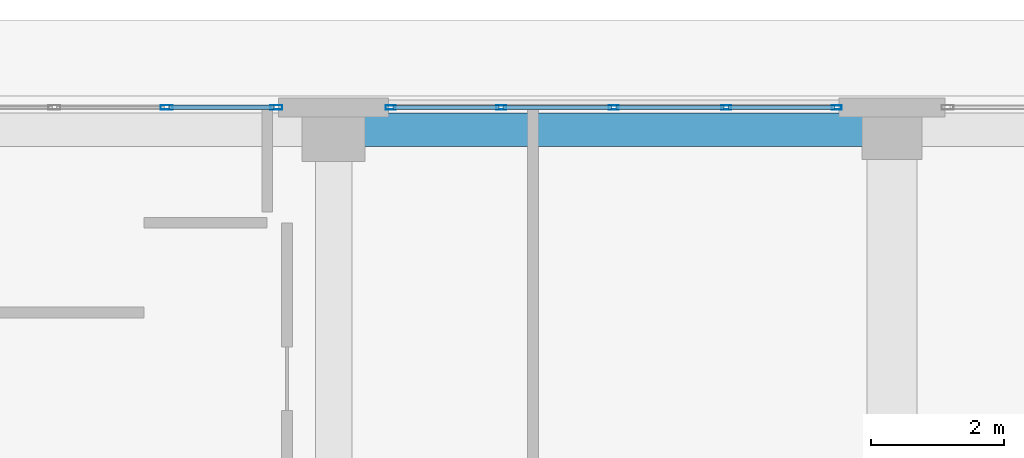
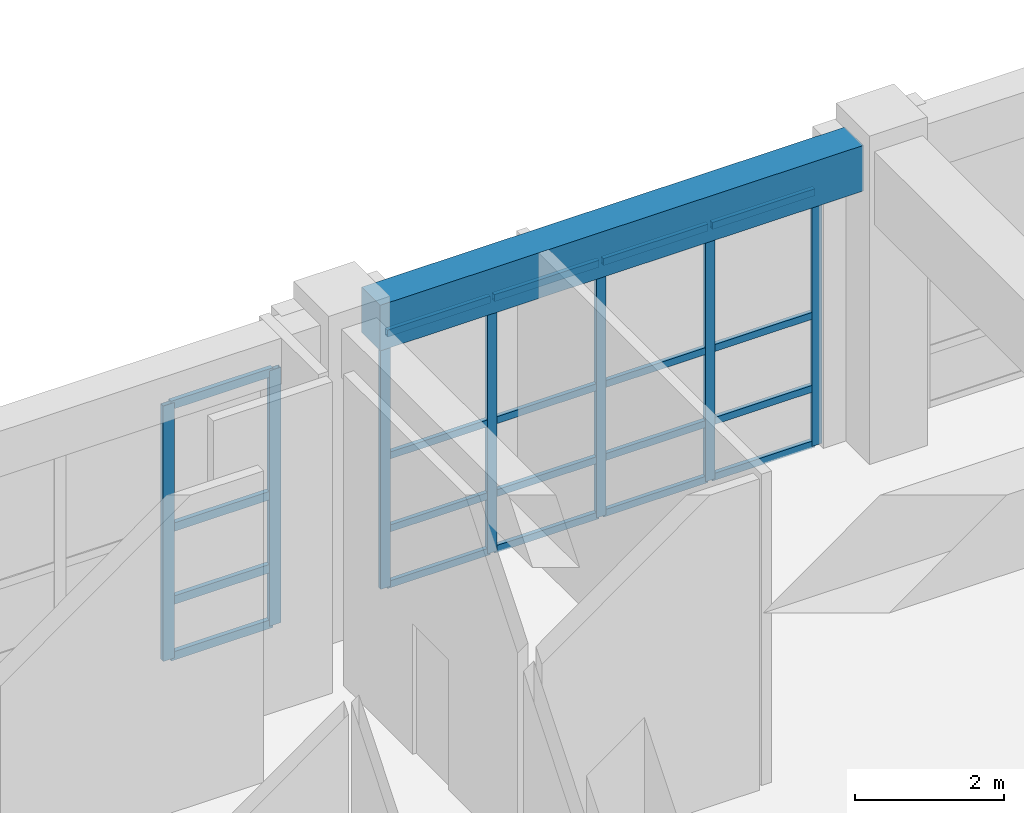
# One storey, part 83 of 148: 27 members, 1 beam, 2 elements without a shape of their own.
"""IFC4 building model written with IfcOpenShell, lengths in metres."""

from ifc_helpers import new_model, si_unit, direction, frame, origin, origin_2d, place, context, subcontext, project, spatial, rectangle, hollow_rectangle, extrude, material, layer, layer_set, material_profile, profile_set, type_object, element, aggregate, save


model = new_model("IFC4")

# Units and contexts
model_context = context("Model", 3, precision=1e-05, world=origin(), true_north=direction((0.0, 1.0)))
body_context = subcontext(model_context, "Body", "Model", "MODEL_VIEW")
ifc_project = project(units=[si_unit("LENGTHUNIT", "METRE"), si_unit("AREAUNIT", "SQUARE_METRE"), si_unit("VOLUMEUNIT", "CUBIC_METRE"), si_unit("PLANEANGLEUNIT", "RADIAN"), si_unit("MASSUNIT", "GRAM", prefix="KILO")], contexts=[model_context])

# Site, building, storey
site_placement = place(None, origin())
site = spatial("IfcSite", under=ifc_project, at=site_placement, CompositionType="ELEMENT")
building_placement = place(site_placement, origin())
building = spatial("IfcBuilding", under=site, at=building_placement, Name="Quendrovan Civic Courthouse", CompositionType="ELEMENT")
storey_placement = place(building_placement, origin())
storey = spatial("IfcBuildingStorey", under=building, at=storey_placement, Name="L01", CompositionType="ELEMENT", Elevation=0.0)

# Beam
ifc_material_1 = material(Name="Concrete C40/50", Category="concrete")
ifc_material_profile_1 = material_profile(ifc_material_1, rectangle(XDim=0.5, YDim=0.75, at=origin_2d()), Name="RC-BM-500x750")
ifc_profile_set_1 = profile_set([ifc_material_profile_1], Name="Concrete C40/50")
beam_type = type_object("IfcBeamType", Name="BM-RC750", PredefinedType="SPANDREL", material=ifc_profile_set_1)
beam_placement = place(storey_placement, frame((67.655029296875, 109.89990234375, 4.7451171875), z_axis=(1.0, 0.0, 0.0), x_axis=(0.0, 1.0, 0.0)))
element("IfcBeam", 1, at=beam_placement, inside=storey, type_object=beam_type, Name="L01 Girder X0360", PredefinedType="SPANDREL", context=body_context, shape_type="SweptSolid", body=[
    extrude(rectangle(XDim=0.5, YDim=0.75, at=origin_2d()), origin(), (0.0, 0.0, 1.0), 7.514892578125),
])

# Curtain wall, members
ifc_material_2 = material(Name="Bronze anodised aluminium and low-E glass", Category="aluminium")
ifc_layer = layer(ifc_material_2, 0.179931640625, Name="Bronze anodised aluminium and low-E glass")
ifc_layer_set = layer_set([ifc_layer], Name="Bronze anodised aluminium and low-E glass")
curtain_wall_type = type_object("IfcCurtainWallType", Name="CW-U68x42", PredefinedType="USERDEFINED", material=ifc_layer_set)
curtain_wall_1_placement = place(storey_placement, origin())
curtain_wall_1 = element("IfcCurtainWall", 2, at=curtain_wall_1_placement, inside=storey, type_object=curtain_wall_type, Name="L01 Unitised Hurricane Curtain Wall CW-028", ObjectType="UNITISED CURTAIN WALL", PredefinedType="USERDEFINED")
ifc_material_3 = material(Name="Bronze anodised aluminium", Category="aluminium")
ifc_material_profile_2 = material_profile(ifc_material_3, hollow_rectangle(XDim=0.070068359375, YDim=0.179931640625, WallThickness=0.00390625, at=origin_2d()), Name="CW-MULL-70x180")
ifc_profile_set_2 = profile_set([ifc_material_profile_2], Name="Bronze anodised aluminium")
member_type_1 = type_object("IfcMemberType", Name="CW-MULL-A", PredefinedType="MULLION", material=ifc_profile_set_2)
member_1_placement = place(storey_placement, frame((64.6875, 110.235107421875, 0.0), z_axis=(0.0, 0.0, 1.0), x_axis=(0.0, 1.0, 0.0)))
member_1 = element("IfcMember", 3, at=member_1_placement, type_object=member_type_1, Name="CW-028 mullion 4", PredefinedType="MULLION", context=body_context, shape_type="SweptSolid", body=[
    extrude(hollow_rectangle(XDim=0.070068359375, YDim=0.179931640625, WallThickness=0.00390625, at=origin_2d()), origin(), (0.0, 0.0, 1.0), 4.199951171875),
])
member_2_placement = place(storey_placement, frame((66.340087890625, 110.235107421875, 0.0), z_axis=(0.0, 0.0, 1.0), x_axis=(0.0, 1.0, 0.0)))
member_2 = element("IfcMember", 4, at=member_2_placement, type_object=member_type_1, Name="CW-028 mullion 5", PredefinedType="MULLION", context=body_context, shape_type="SweptSolid", body=[
    extrude(hollow_rectangle(XDim=0.070068359375, YDim=0.179931640625, WallThickness=0.00390625, at=origin_2d()), origin(), (0.0, 0.0, 1.0), 4.199951171875),
])

curtain_wall_2_placement = place(storey_placement, origin())
curtain_wall_2 = element("IfcCurtainWall", 5, at=curtain_wall_2_placement, inside=storey, type_object=curtain_wall_type, Name="L01 Unitised Hurricane Curtain Wall CW-029", ObjectType="UNITISED CURTAIN WALL", PredefinedType="USERDEFINED")
ifc_material_profile_3 = material_profile(ifc_material_3, hollow_rectangle(XDim=0.06494140625, YDim=0.14990234375, WallThickness=0.00390625, at=origin_2d()), Name="CW-MULL-65x150")
ifc_profile_set_3 = profile_set([ifc_material_profile_3], Name="Bronze anodised aluminium")
member_type_2 = type_object("IfcMemberType", Name="CW-MULL-B", PredefinedType="MULLION", material=ifc_profile_set_3)
member_3_placement = place(storey_placement, frame((68.0576171875, 110.235107421875, 0.0), z_axis=(0.0, 0.0, 1.0), x_axis=(0.0, 1.0, 0.0)))
member_3 = element("IfcMember", 6, at=member_3_placement, type_object=member_type_2, Name="CW-029 mullion 1", PredefinedType="MULLION", context=body_context, shape_type="SweptSolid", body=[
    extrude(hollow_rectangle(XDim=0.06494140625, YDim=0.14990234375, WallThickness=0.00390625, at=origin_2d()), origin(), (0.0, 0.0, 1.0), 4.199951171875),
])
member_4_placement = place(storey_placement, frame((69.71875, 110.235107421875, 0.0), z_axis=(0.0, 0.0, 1.0), x_axis=(0.0, 1.0, 0.0)))
member_4 = element("IfcMember", 7, at=member_4_placement, type_object=member_type_2, Name="CW-029 mullion 2", PredefinedType="MULLION", context=body_context, shape_type="SweptSolid", body=[
    extrude(hollow_rectangle(XDim=0.06494140625, YDim=0.14990234375, WallThickness=0.00390625, at=origin_2d()), origin(), (0.0, 0.0, 1.0), 4.199951171875),
])
member_5_placement = place(storey_placement, frame((71.41259765625, 110.235107421875, 0.0), z_axis=(0.0, 0.0, 1.0), x_axis=(0.0, 1.0, 0.0)))
member_5 = element("IfcMember", 8, at=member_5_placement, type_object=member_type_2, Name="CW-029 mullion 3", PredefinedType="MULLION", context=body_context, shape_type="SweptSolid", body=[
    extrude(hollow_rectangle(XDim=0.06494140625, YDim=0.14990234375, WallThickness=0.00390625, at=origin_2d()), origin(), (0.0, 0.0, 1.0), 4.199951171875),
])
member_6_placement = place(storey_placement, frame((73.106201171875, 110.235107421875, 0.0), z_axis=(0.0, 0.0, 1.0), x_axis=(0.0, 1.0, 0.0)))
member_6 = element("IfcMember", 9, at=member_6_placement, type_object=member_type_2, Name="CW-029 mullion 4", PredefinedType="MULLION", context=body_context, shape_type="SweptSolid", body=[
    extrude(hollow_rectangle(XDim=0.06494140625, YDim=0.14990234375, WallThickness=0.00390625, at=origin_2d()), origin(), (0.0, 0.0, 1.0), 4.199951171875),
])
member_7_placement = place(storey_placement, frame((74.767578125, 110.235107421875, 0.0), z_axis=(0.0, 0.0, 1.0), x_axis=(0.0, 1.0, 0.0)))
member_7 = element("IfcMember", 10, at=member_7_placement, type_object=member_type_2, Name="CW-029 mullion 5", PredefinedType="MULLION", context=body_context, shape_type="SweptSolid", body=[
    extrude(hollow_rectangle(XDim=0.06494140625, YDim=0.14990234375, WallThickness=0.00390625, at=origin_2d()), origin(), (0.0, 0.0, 1.0), 4.199951171875),
])

# Member
ifc_material_profile_4 = material_profile(ifc_material_3, hollow_rectangle(XDim=0.070068359375, YDim=0.139892578125, WallThickness=0.00390625, at=origin_2d()), Name="CW-TRAN-70x140")
ifc_profile_set_4 = profile_set([ifc_material_profile_4], Name="Bronze anodised aluminium")
member_type_3 = type_object("IfcMemberType", Name="CW-TRAN-A", PredefinedType="USERDEFINED", material=ifc_profile_set_4)
member_8_placement = place(storey_placement, frame((64.722412109375, 110.235107421875, 0.034912109375), z_axis=(1.0, 0.0, 0.0), x_axis=(0.0, 1.0, 0.0)))
member_8 = element("IfcMember", 11, at=member_8_placement, type_object=member_type_3, Name="CW-028 transom 4.1", ObjectType="TRANSOM", PredefinedType="USERDEFINED", context=body_context, shape_type="SweptSolid", body=[
    extrude(hollow_rectangle(XDim=0.070068359375, YDim=0.139892578125, WallThickness=0.00390625, at=origin_2d()), origin(), (0.0, 0.0, 1.0), 1.58251953125),
])

member_9_placement = place(storey_placement, frame((64.722412109375, 110.235107421875, 0.949951171875), z_axis=(1.0, 0.0, 0.0), x_axis=(0.0, 1.0, 0.0)))
member_9 = element("IfcMember", 12, at=member_9_placement, type_object=member_type_3, Name="CW-028 transom 4.2", ObjectType="TRANSOM", PredefinedType="USERDEFINED", context=body_context, shape_type="SweptSolid", body=[
    extrude(hollow_rectangle(XDim=0.070068359375, YDim=0.139892578125, WallThickness=0.00390625, at=origin_2d()), origin(), (0.0, 0.0, 1.0), 1.58251953125),
])

member_10_placement = place(storey_placement, frame((64.722412109375, 110.235107421875, 2.14990234375), z_axis=(1.0, 0.0, 0.0), x_axis=(0.0, 1.0, 0.0)))
member_10 = element("IfcMember", 13, at=member_10_placement, type_object=member_type_3, Name="CW-028 transom 4.3", ObjectType="TRANSOM", PredefinedType="USERDEFINED", context=body_context, shape_type="SweptSolid", body=[
    extrude(hollow_rectangle(XDim=0.070068359375, YDim=0.139892578125, WallThickness=0.00390625, at=origin_2d()), origin(), (0.0, 0.0, 1.0), 1.58251953125),
])

member_11_placement = place(storey_placement, frame((64.722412109375, 110.235107421875, 4.1650390625), z_axis=(1.0, 0.0, 0.0), x_axis=(0.0, 1.0, 0.0)))
member_11 = element("IfcMember", 14, at=member_11_placement, type_object=member_type_3, Name="CW-028 transom 4.4", ObjectType="TRANSOM", PredefinedType="USERDEFINED", context=body_context, shape_type="SweptSolid", body=[
    extrude(hollow_rectangle(XDim=0.070068359375, YDim=0.139892578125, WallThickness=0.00390625, at=origin_2d()), origin(), (0.0, 0.0, 1.0), 1.58251953125),
])

aggregate(curtain_wall_1, [member_1, member_2, member_8, member_9, member_10, member_11])

ifc_material_profile_5 = material_profile(ifc_material_3, hollow_rectangle(XDim=0.06494140625, YDim=0.114990234375, WallThickness=0.00390625, at=origin_2d()), Name="CW-TRAN-65x115")
ifc_profile_set_5 = profile_set([ifc_material_profile_5], Name="Bronze anodised aluminium")
member_type_4 = type_object("IfcMemberType", Name="CW-TRAN-B", PredefinedType="USERDEFINED", material=ifc_profile_set_5)
member_12_placement = place(storey_placement, frame((68.090087890625, 110.235107421875, 0.032470703125), z_axis=(1.0, 0.0, 0.0), x_axis=(0.0, 1.0, 0.0)))
member_12 = element("IfcMember", 15, at=member_12_placement, type_object=member_type_4, Name="CW-029 transom 1.1", ObjectType="TRANSOM", PredefinedType="USERDEFINED", context=body_context, shape_type="SweptSolid", body=[
    extrude(hollow_rectangle(XDim=0.06494140625, YDim=0.114990234375, WallThickness=0.00390625, at=origin_2d()), origin(), (0.0, 0.0, 1.0), 1.59619140625),
])

member_13_placement = place(storey_placement, frame((68.090087890625, 110.235107421875, 0.949951171875), z_axis=(1.0, 0.0, 0.0), x_axis=(0.0, 1.0, 0.0)))
member_13 = element("IfcMember", 16, at=member_13_placement, type_object=member_type_4, Name="CW-029 transom 1.2", ObjectType="TRANSOM", PredefinedType="USERDEFINED", context=body_context, shape_type="SweptSolid", body=[
    extrude(hollow_rectangle(XDim=0.06494140625, YDim=0.114990234375, WallThickness=0.00390625, at=origin_2d()), origin(), (0.0, 0.0, 1.0), 1.59619140625),
])

member_14_placement = place(storey_placement, frame((68.090087890625, 110.235107421875, 2.14990234375), z_axis=(1.0, 0.0, 0.0), x_axis=(0.0, 1.0, 0.0)))
member_14 = element("IfcMember", 17, at=member_14_placement, type_object=member_type_4, Name="CW-029 transom 1.3", ObjectType="TRANSOM", PredefinedType="USERDEFINED", context=body_context, shape_type="SweptSolid", body=[
    extrude(hollow_rectangle(XDim=0.06494140625, YDim=0.114990234375, WallThickness=0.00390625, at=origin_2d()), origin(), (0.0, 0.0, 1.0), 1.59619140625),
])

member_15_placement = place(storey_placement, frame((68.090087890625, 110.235107421875, 4.16748046875), z_axis=(1.0, 0.0, 0.0), x_axis=(0.0, 1.0, 0.0)))
member_15 = element("IfcMember", 18, at=member_15_placement, type_object=member_type_4, Name="CW-029 transom 1.4", ObjectType="TRANSOM", PredefinedType="USERDEFINED", context=body_context, shape_type="SweptSolid", body=[
    extrude(hollow_rectangle(XDim=0.06494140625, YDim=0.114990234375, WallThickness=0.00390625, at=origin_2d()), origin(), (0.0, 0.0, 1.0), 1.59619140625),
])

member_16_placement = place(storey_placement, frame((69.751220703125, 110.235107421875, 0.032470703125), z_axis=(1.0, 0.0, 0.0), x_axis=(0.0, 1.0, 0.0)))
member_16 = element("IfcMember", 19, at=member_16_placement, type_object=member_type_4, Name="CW-029 transom 2.1", ObjectType="TRANSOM", PredefinedType="USERDEFINED", context=body_context, shape_type="SweptSolid", body=[
    extrude(hollow_rectangle(XDim=0.06494140625, YDim=0.114990234375, WallThickness=0.00390625, at=origin_2d()), origin(), (0.0, 0.0, 1.0), 1.628662109375),
])

member_17_placement = place(storey_placement, frame((69.751220703125, 110.235107421875, 0.949951171875), z_axis=(1.0, 0.0, 0.0), x_axis=(0.0, 1.0, 0.0)))
member_17 = element("IfcMember", 20, at=member_17_placement, type_object=member_type_4, Name="CW-029 transom 2.2", ObjectType="TRANSOM", PredefinedType="USERDEFINED", context=body_context, shape_type="SweptSolid", body=[
    extrude(hollow_rectangle(XDim=0.06494140625, YDim=0.114990234375, WallThickness=0.00390625, at=origin_2d()), origin(), (0.0, 0.0, 1.0), 1.628662109375),
])

member_18_placement = place(storey_placement, frame((69.751220703125, 110.235107421875, 2.14990234375), z_axis=(1.0, 0.0, 0.0), x_axis=(0.0, 1.0, 0.0)))
member_18 = element("IfcMember", 21, at=member_18_placement, type_object=member_type_4, Name="CW-029 transom 2.3", ObjectType="TRANSOM", PredefinedType="USERDEFINED", context=body_context, shape_type="SweptSolid", body=[
    extrude(hollow_rectangle(XDim=0.06494140625, YDim=0.114990234375, WallThickness=0.00390625, at=origin_2d()), origin(), (0.0, 0.0, 1.0), 1.628662109375),
])

member_19_placement = place(storey_placement, frame((69.751220703125, 110.235107421875, 4.16748046875), z_axis=(1.0, 0.0, 0.0), x_axis=(0.0, 1.0, 0.0)))
member_19 = element("IfcMember", 22, at=member_19_placement, type_object=member_type_4, Name="CW-029 transom 2.4", ObjectType="TRANSOM", PredefinedType="USERDEFINED", context=body_context, shape_type="SweptSolid", body=[
    extrude(hollow_rectangle(XDim=0.06494140625, YDim=0.114990234375, WallThickness=0.00390625, at=origin_2d()), origin(), (0.0, 0.0, 1.0), 1.628662109375),
])

member_20_placement = place(storey_placement, frame((71.445068359375, 110.235107421875, 0.032470703125), z_axis=(1.0, 0.0, 0.0), x_axis=(0.0, 1.0, 0.0)))
member_20 = element("IfcMember", 23, at=member_20_placement, type_object=member_type_4, Name="CW-029 transom 3.1", ObjectType="TRANSOM", PredefinedType="USERDEFINED", context=body_context, shape_type="SweptSolid", body=[
    extrude(hollow_rectangle(XDim=0.06494140625, YDim=0.114990234375, WallThickness=0.00390625, at=origin_2d()), origin(), (0.0, 0.0, 1.0), 1.628662109375),
])

member_21_placement = place(storey_placement, frame((71.445068359375, 110.235107421875, 0.949951171875), z_axis=(1.0, 0.0, 0.0), x_axis=(0.0, 1.0, 0.0)))
member_21 = element("IfcMember", 24, at=member_21_placement, type_object=member_type_4, Name="CW-029 transom 3.2", ObjectType="TRANSOM", PredefinedType="USERDEFINED", context=body_context, shape_type="SweptSolid", body=[
    extrude(hollow_rectangle(XDim=0.06494140625, YDim=0.114990234375, WallThickness=0.00390625, at=origin_2d()), origin(), (0.0, 0.0, 1.0), 1.628662109375),
])

member_22_placement = place(storey_placement, frame((71.445068359375, 110.235107421875, 2.14990234375), z_axis=(1.0, 0.0, 0.0), x_axis=(0.0, 1.0, 0.0)))
member_22 = element("IfcMember", 25, at=member_22_placement, type_object=member_type_4, Name="CW-029 transom 3.3", ObjectType="TRANSOM", PredefinedType="USERDEFINED", context=body_context, shape_type="SweptSolid", body=[
    extrude(hollow_rectangle(XDim=0.06494140625, YDim=0.114990234375, WallThickness=0.00390625, at=origin_2d()), origin(), (0.0, 0.0, 1.0), 1.628662109375),
])

member_23_placement = place(storey_placement, frame((71.445068359375, 110.235107421875, 4.16748046875), z_axis=(1.0, 0.0, 0.0), x_axis=(0.0, 1.0, 0.0)))
member_23 = element("IfcMember", 26, at=member_23_placement, type_object=member_type_4, Name="CW-029 transom 3.4", ObjectType="TRANSOM", PredefinedType="USERDEFINED", context=body_context, shape_type="SweptSolid", body=[
    extrude(hollow_rectangle(XDim=0.06494140625, YDim=0.114990234375, WallThickness=0.00390625, at=origin_2d()), origin(), (0.0, 0.0, 1.0), 1.628662109375),
])

member_24_placement = place(storey_placement, frame((73.138671875, 110.235107421875, 0.032470703125), z_axis=(1.0, 0.0, 0.0), x_axis=(0.0, 1.0, 0.0)))
member_24 = element("IfcMember", 27, at=member_24_placement, type_object=member_type_4, Name="CW-029 transom 4.1", ObjectType="TRANSOM", PredefinedType="USERDEFINED", context=body_context, shape_type="SweptSolid", body=[
    extrude(hollow_rectangle(XDim=0.06494140625, YDim=0.114990234375, WallThickness=0.00390625, at=origin_2d()), origin(), (0.0, 0.0, 1.0), 1.596435546875),
])

member_25_placement = place(storey_placement, frame((73.138671875, 110.235107421875, 0.949951171875), z_axis=(1.0, 0.0, 0.0), x_axis=(0.0, 1.0, 0.0)))
member_25 = element("IfcMember", 28, at=member_25_placement, type_object=member_type_4, Name="CW-029 transom 4.2", ObjectType="TRANSOM", PredefinedType="USERDEFINED", context=body_context, shape_type="SweptSolid", body=[
    extrude(hollow_rectangle(XDim=0.06494140625, YDim=0.114990234375, WallThickness=0.00390625, at=origin_2d()), origin(), (0.0, 0.0, 1.0), 1.596435546875),
])

member_26_placement = place(storey_placement, frame((73.138671875, 110.235107421875, 2.14990234375), z_axis=(1.0, 0.0, 0.0), x_axis=(0.0, 1.0, 0.0)))
member_26 = element("IfcMember", 29, at=member_26_placement, type_object=member_type_4, Name="CW-029 transom 4.3", ObjectType="TRANSOM", PredefinedType="USERDEFINED", context=body_context, shape_type="SweptSolid", body=[
    extrude(hollow_rectangle(XDim=0.06494140625, YDim=0.114990234375, WallThickness=0.00390625, at=origin_2d()), origin(), (0.0, 0.0, 1.0), 1.596435546875),
])

member_27_placement = place(storey_placement, frame((73.138671875, 110.235107421875, 4.16748046875), z_axis=(1.0, 0.0, 0.0), x_axis=(0.0, 1.0, 0.0)))
member_27 = element("IfcMember", 30, at=member_27_placement, type_object=member_type_4, Name="CW-029 transom 4.4", ObjectType="TRANSOM", PredefinedType="USERDEFINED", context=body_context, shape_type="SweptSolid", body=[
    extrude(hollow_rectangle(XDim=0.06494140625, YDim=0.114990234375, WallThickness=0.00390625, at=origin_2d()), origin(), (0.0, 0.0, 1.0), 1.596435546875),
])

aggregate(curtain_wall_2, [member_3, member_4, member_5, member_6, member_7, member_12, member_13, member_14, member_15, member_16, member_17, member_18, member_19, member_20, member_21, member_22, member_23, member_24, member_25, member_26, member_27])

save(model, "model.ifc")
